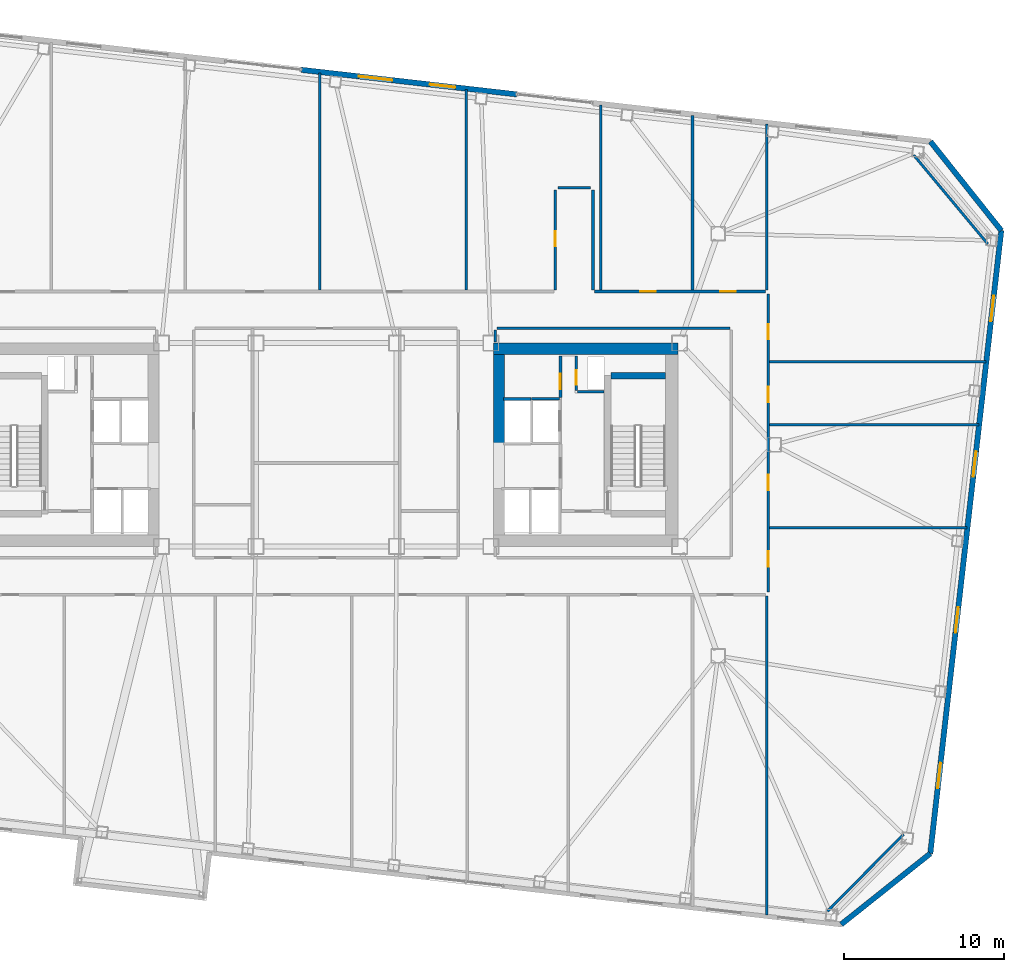
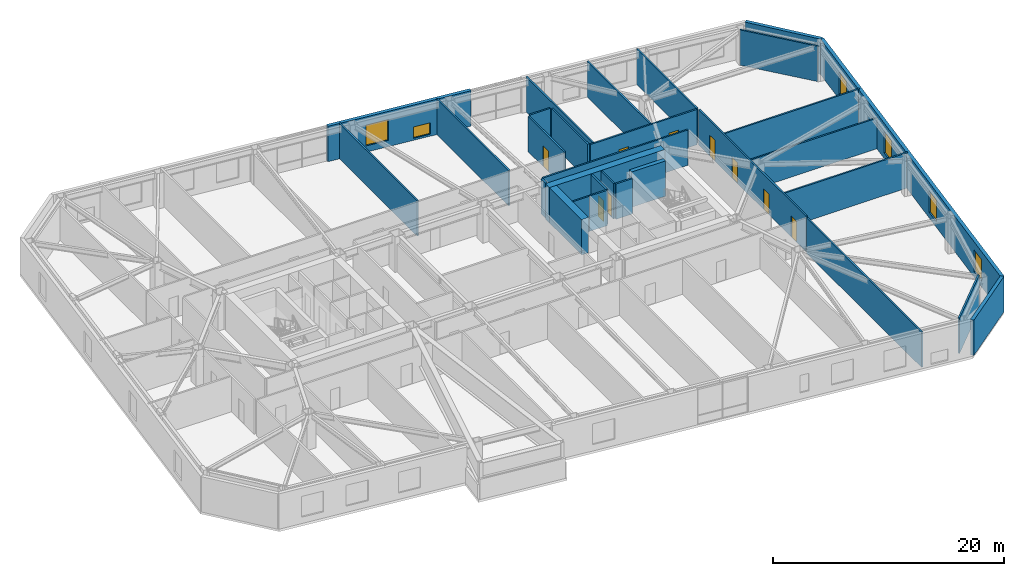
# One storey, part 13 of 19: 30 walls, 9 doors, 6 windows, 15 openings.
"""IFC4 building model written with IfcOpenShell, lengths in metres."""

import ifcopenshell
import ifcopenshell.guid

model = None  # the IFC model being written
_history = None  # IfcOwnerHistory: only IFC2X3 demands one
_inside = {}  # id of a spatial element -> (the spatial element, [elements in it])
_under = {}  # id of a project, library or spatial element -> (it, [spatial elements below it])
_declared = {}  # id of a project -> (the project, [libraries it declares])
_typed = {}  # id of a type object -> (the type object, [elements of that type])
_made_of = {}  # id of a material, layer set ... -> (it, [elements and type objects made of it])


def new_model(schema):
    """Start an empty IFC model of exactly this schema.

    Asked for "IFC4X3", IfcOpenShell would pick the latest addendum, in which some entities
    have other attributes; the version numbers below select the first issue.
    IFC2X3 requires an IfcOwnerHistory on every rooted entity: one is made here for all.
    """
    global model, _history
    if schema == "IFC4X3":
        model = ifcopenshell.file(schema_version=(4, 3, 0, 0))
    else:
        model = ifcopenshell.file(schema=schema)
    _inside.clear()
    _under.clear()
    _declared.clear()
    _typed.clear()
    _made_of.clear()
    _history = None
    if model.schema == "IFC2X3":
        org = make("IfcOrganization", Name="unknown")
        user = make(
            "IfcPersonAndOrganization",
            ThePerson=make("IfcPerson", FamilyName="unknown"),
            TheOrganization=org,
        )
        app = make(
            "IfcApplication",
            ApplicationDeveloper=org,
            Version="unknown",
            ApplicationFullName="unknown",
            ApplicationIdentifier="unknown",
        )
        _history = make(
            "IfcOwnerHistory",
            OwningUser=user,
            OwningApplication=app,
            ChangeAction="ADDED",
            CreationDate=0,
        )
    return model


def make(cls, **values):
    """One entity of the class cls with the attributes given. An attribute that is None is left unset."""
    return model.create_entity(
        cls, **{name: value for name, value in values.items() if value is not None}
    )


def rooted(cls, **values):
    """An entity with a GlobalId (a new one), such as an element, a storey or a relation."""
    return make(cls, GlobalId=ifcopenshell.guid.new(), OwnerHistory=_history, **values)


def si_unit(unit_type, name, prefix=None):
    """IfcSIUnit, for example si_unit("LENGTHUNIT", "METRE", prefix="MILLI")."""
    return make("IfcSIUnit", UnitType=unit_type, Prefix=prefix, Name=name)


def assignment(units):
    """IfcUnitAssignment: the units of a project."""
    return None if units is None else make("IfcUnitAssignment", Units=units)


def point(xyz):
    """IfcCartesianPoint."""
    return None if xyz is None else make("IfcCartesianPoint", Coordinates=xyz)


def direction(xyz):
    """IfcDirection."""
    return None if xyz is None else make("IfcDirection", DirectionRatios=xyz)


def frame(location, z_axis=None, x_axis=None):
    """IfcAxis2Placement3D, a coordinate frame: its origin and axes. An axis left out is left unset."""
    return make(
        "IfcAxis2Placement3D",
        Location=point(location),
        Axis=direction(z_axis),
        RefDirection=direction(x_axis),
    )


def frame_2d(location, x_axis=None):
    """IfcAxis2Placement2D, a coordinate frame in the plane: its origin and x axis."""
    return make(
        "IfcAxis2Placement2D", Location=point(location), RefDirection=direction(x_axis)
    )


def origin():
    """The frame at (0, 0, 0) with its axes left unset."""
    return frame((0.0, 0.0, 0.0))


def place(relative_to, where):
    """IfcLocalPlacement: puts the frame where relative to a parent placement (None: the world)."""
    return make(
        "IfcLocalPlacement", PlacementRelTo=relative_to, RelativePlacement=where
    )


def context(
    kind, dimensions, precision=None, world=None, true_north=None, identifier=None
):
    """IfcGeometricRepresentationContext, for example the 3D "Model" context."""
    return make(
        "IfcGeometricRepresentationContext",
        ContextIdentifier=identifier,
        ContextType=kind,
        CoordinateSpaceDimension=dimensions,
        Precision=precision,
        WorldCoordinateSystem=world,
        TrueNorth=true_north,
    )


def subcontext(parent, identifier, kind, view, scale=None):
    """IfcGeometricRepresentationSubContext, for example "Body" below "Model"."""
    return make(
        "IfcGeometricRepresentationSubContext",
        ContextIdentifier=identifier,
        ContextType=kind,
        ParentContext=parent,
        TargetScale=scale,
        TargetView=view,
    )


def project(units=None, contexts=None):
    """IfcProject with its units and contexts."""
    return rooted(
        "IfcProject",
        Name="project",
        RepresentationContexts=contexts,
        UnitsInContext=assignment(units),
    )


def spatial(cls, under=None, at=None, **own):
    """A site, building, storey or space (cls), placed at a placement, below another one or the project."""
    s = rooted(cls, ObjectPlacement=at, **own)
    if under is not None:
        _under.setdefault(under.id(), (under, []))[1].append(s)
    return s


def profile(cls, at=None, kind="AREA", **sizes):
    """A parametric profile (cls). Its sizes go by their IFC names, for example OverallWidth=200.0."""
    return make(cls, ProfileType=kind, Position=at, **sizes)


def rectangle(**sizes):
    """IfcRectangleProfileDef."""
    return profile("IfcRectangleProfileDef", **sizes)


def extrude(swept, where, along, depth):
    """IfcExtrudedAreaSolid: the profile swept, set in the frame where, extruded along a direction by depth."""
    return make(
        "IfcExtrudedAreaSolid",
        SweptArea=swept,
        Position=where,
        ExtrudedDirection=direction(along),
        Depth=depth,
    )


def shape(context_of_items, identifier, shape_type, items):
    """IfcShapeRepresentation: the items that make up one representation, for example the "Body"."""
    return make(
        "IfcShapeRepresentation",
        ContextOfItems=context_of_items,
        RepresentationIdentifier=identifier,
        RepresentationType=shape_type,
        Items=items,
    )


def material(Name=None, Category=None):
    """IfcMaterial."""
    return make("IfcMaterial", Name=Name, Category=Category)


def layer(
    of_material, thickness, ventilated=None, Name=None, Category=None, Priority=None
):
    """IfcMaterialLayer: one layer of a wall or slab, of a material (None: an air gap)."""
    return make(
        "IfcMaterialLayer",
        Material=of_material,
        LayerThickness=thickness,
        IsVentilated=ventilated,
        Name=Name,
        Category=Category,
        Priority=Priority,
    )


def layer_set(layers, Name=None):
    """IfcMaterialLayerSet."""
    return make("IfcMaterialLayerSet", MaterialLayers=layers, LayerSetName=Name)


def made_of(thing, what):
    """Note that an element or type object is made of a material, layer set ...; save() writes the relation."""
    if what is not None:
        _made_of.setdefault(what.id(), (what, []))[1].append(thing)
    return thing


def type_object(cls, material=None, **own):
    """A type object (cls), such as IfcWallType, which elements share."""
    return made_of(rooted(cls, **own), material)


def element(
    cls,
    number,
    at=None,
    inside=None,
    cuts=None,
    type_object=None,
    material=None,
    context=None,
    identifier="Body",
    shape_type=None,
    held_by="IfcProductDefinitionShape",
    body=None,
    shapes=None,
    **own,
):
    """One element of the class cls, such as IfcWall. Its Tag is "e" and its number.

    at: its placement. inside: the storey or other place that contains it. cuts: it is an
    opening in that element (IfcRelVoidsElement). A single representation is given by context,
    identifier, shape_type and body (its items); several are given by shapes. held_by: the class
    of the entity that holds the representations. save() writes the other relations.
    """
    e = rooted(cls, Tag="e%d" % number, ObjectPlacement=at, **own)
    if body is not None:
        shapes = [shape(context, identifier, shape_type, body)]
    if shapes is not None:
        e.Representation = make(held_by, Representations=shapes)
    if inside is not None:
        _inside.setdefault(inside.id(), (inside, []))[1].append(e)
    if cuts is not None:
        rooted(
            "IfcRelVoidsElement", RelatingBuildingElement=cuts, RelatedOpeningElement=e
        )
    if type_object is not None:
        _typed.setdefault(type_object.id(), (type_object, []))[1].append(e)
    return made_of(e, material)


def fill(opening, filler):
    """IfcRelFillsElement: the door or window that sits in an opening."""
    return rooted(
        "IfcRelFillsElement",
        RelatingOpeningElement=opening,
        RelatedBuildingElement=filler,
    )


def aggregate(whole, parts):
    """IfcRelAggregates: a whole, such as a stair, and the parts it consists of."""
    return rooted("IfcRelAggregates", RelatingObject=whole, RelatedObjects=parts)


def save(model, path):
    """Write the relations noted so far, then the file.

    IfcRelAggregates (storeys below a building ...), IfcRelContainedInSpatialStructure (elements
    in a storey), IfcRelDefinesByType, IfcRelAssociatesMaterial and IfcRelDeclares: one each for
    every whole, place, type object, material and project.
    """
    for whole, parts in _under.values():
        aggregate(whole, parts)
    for where, things in _inside.values():
        rooted(
            "IfcRelContainedInSpatialStructure",
            RelatedElements=things,
            RelatingStructure=where,
        )
    for kind, things in _typed.values():
        rooted("IfcRelDefinesByType", RelatedObjects=things, RelatingType=kind)
    for what, things in _made_of.values():
        rooted("IfcRelAssociatesMaterial", RelatedObjects=things, RelatingMaterial=what)
    for by, libraries in _declared.values():
        rooted("IfcRelDeclares", RelatingContext=by, RelatedDefinitions=libraries)
    model.write(path)


model = new_model("IFC4")

# Units and contexts
model_context = context("Model", 3, precision=1e-05, world=origin(), true_north=direction((0.0, 1.0)))
body_context = subcontext(model_context, "Body", "Model", "MODEL_VIEW")
ifc_project = project(units=[si_unit("LENGTHUNIT", "METRE"), si_unit("AREAUNIT", "SQUARE_METRE"), si_unit("VOLUMEUNIT", "CUBIC_METRE"), si_unit("PLANEANGLEUNIT", "RADIAN"), si_unit("MASSUNIT", "GRAM", prefix="KILO")], contexts=[model_context])

# Site, building, storey
site_placement = place(None, origin())
site = spatial("IfcSite", under=ifc_project, at=site_placement, CompositionType="ELEMENT")
building_placement = place(site_placement, origin())
building = spatial("IfcBuilding", under=site, at=building_placement, Name="Tavrogorsk Clinical Tower", CompositionType="ELEMENT")
storey_placement = place(building_placement, frame((0.0, 0.0, 97.39990234375)))
storey = spatial("IfcBuildingStorey", under=building, at=storey_placement, Name="L21", CompositionType="ELEMENT", Elevation=97.39990234375)

# Wall, opening, door
ifc_material_1 = material(Name="Concrete B60", Category="concrete")
ifc_layer_1 = layer(ifc_material_1, 0.199951171875)
ifc_layer_set_1 = layer_set([ifc_layer_1], Name="Concrete B60")
wall_type_1 = type_object("IfcWallType", Name="CoreFireWall_200", PredefinedType="SOLIDWALL", material=ifc_layer_set_1)
wall_1_placement = place(storey_placement, frame((14.639892578125, 2.9599609375, 0.0), z_axis=(0.0, 0.0, 1.0), x_axis=(0.0, 1.0, 0.0)))
wall_1 = element("IfcWall", 1, at=wall_1_placement, inside=storey, type_object=wall_type_1, Name="L21 Core East North Core Room East Wall", PredefinedType="SOLIDWALL", context=body_context, shape_type="SweptSolid", body=[
    extrude(rectangle(XDim=2.60009765625, YDim=0.199951171875, at=frame_2d((1.300048828125, 0.0))), origin(), (0.0, 0.0, 1.0), 3.739990234375),
])
opening_1_placement = place(wall_1_placement, frame((0.52001953125, 0.0, 0.0)))
opening_1 = element("IfcOpeningElement", 2, at=opening_1_placement, cuts=wall_1, Name="Opening ID-02", PredefinedType="OPENING", context=body_context, shape_type="SweptSolid", body=[
    extrude(rectangle(XDim=0.949951171875, YDim=2.199951171875, at=frame_2d((0.47509765625, 1.10009765625))), frame((0.0, 0.10986328125, 0.0), z_axis=(0.0, -1.0, 0.0), x_axis=(1.0, 0.0, 0.0)), (0.0, 0.0, 1.0), 0.219970703125),
])
ifc_material_2 = material(Name="Laminated timber leaf on aluminium frame", Category="wood")
door_type_1 = type_object("IfcDoorType", Name="InteriorDoor_ID02_950", OperationType="NOTDEFINED", PredefinedType="DOOR", material=ifc_material_2)
door_1_placement = place(opening_1_placement, origin())
door_1 = element("IfcDoor", 3, at=door_1_placement, inside=storey, type_object=door_type_1, Name="L21 Core East Core Telemetry Room Door", OperationType="SINGLE_SWING_LEFT", OverallHeight=2.199951171875, OverallWidth=0.949951171875, PredefinedType="DOOR", context=body_context, shape_type="SweptSolid", body=[
    extrude(rectangle(XDim=0.949951171875, YDim=2.199951171875, at=frame_2d((0.47509765625, 1.10009765625))), frame((0.0, 0.02490234375, 0.0), z_axis=(0.0, -1.0, 0.0), x_axis=(1.0, 0.0, 0.0)), (0.0, 0.0, 1.0), 0.050048828125),
])
fill(opening_1, door_1)

# Walls
ifc_material_3 = material(Name="Lightweight concrete blockwork B15", Category="masonry")
ifc_layer_2 = layer(ifc_material_3, 0.159912109375)
ifc_layer_set_2 = layer_set([ifc_layer_2], Name="Lightweight concrete blockwork B15")
wall_type_2 = type_object("IfcWallType", Name="PartitionWall_160", PredefinedType="PARTITIONING", material=ifc_layer_set_2)
wall_2_placement = place(storey_placement, frame((31.34130859375, -29.162109375, 0.0), z_axis=(0.0, 0.0, 1.0), x_axis=(0.702905898933, 0.711282853192, 0.0)))
element("IfcWall", 4, at=wall_2_placement, inside=storey, type_object=wall_type_2, Name="L21 Corner Exoskeleton Brace Furring Wall 1", PredefinedType="PARTITIONING", context=body_context, shape_type="SweptSolid", body=[
    extrude(rectangle(XDim=6.761474609375, YDim=0.159912109375, at=frame_2d((3.380859375, 0.0))), origin(), (0.0, 0.0, 1.0), 3.739990234375),
])
wall_3_placement = place(storey_placement, frame((41.36083984375, 12.555908203125, 0.0), z_axis=(0.0, 0.0, 1.0), x_axis=(-0.640217638562, 0.768193579298, 0.0)))
element("IfcWall", 5, at=wall_3_placement, inside=storey, type_object=wall_type_2, Name="L21 Corner Exoskeleton Brace Furring Wall 2", PredefinedType="PARTITIONING", context=body_context, shape_type="SweptSolid", body=[
    extrude(rectangle(XDim=7.224365234375, YDim=0.159912109375, at=frame_2d((3.6123046875, 0.0))), origin(), (0.0, 0.0, 1.0), 3.739990234375),
])

# Wall, opening, door
wall_4_placement = place(storey_placement, frame((14.320068359375, 9.6650390625, 0.0), z_axis=(0.0, 0.0, 1.0), x_axis=(0.0, 1.0, 0.0)))
wall_4 = element("IfcWall", 6, at=wall_4_placement, inside=storey, type_object=wall_type_2, Name="L21 Corridor Partition 03", PredefinedType="PARTITIONING", context=body_context, shape_type="SweptSolid", body=[
    extrude(rectangle(XDim=6.25, YDim=0.159912109375, at=frame_2d((3.125, 0.0))), origin(), (0.0, 0.0, 1.0), 3.739990234375),
])
opening_2_placement = place(wall_4_placement, frame((2.735107421875, 0.0, 0.0)))
opening_2 = element("IfcOpeningElement", 7, at=opening_2_placement, cuts=wall_4, Name="Opening ID-02", PredefinedType="OPENING", context=body_context, shape_type="SweptSolid", body=[
    extrude(rectangle(XDim=0.949951171875, YDim=2.199951171875, at=frame_2d((0.47509765625, 1.10009765625))), frame((0.0, 0.08984375, 0.0), z_axis=(0.0, -1.0, 0.0), x_axis=(1.0, 0.0, 0.0)), (0.0, 0.0, 1.0), 0.179931640625),
])
door_2_placement = place(opening_2_placement, origin())
door_2 = element("IfcDoor", 8, at=door_2_placement, inside=storey, type_object=door_type_1, Name="L21 North Endoscopy & Bronchoscopy Procedure Room 06 Door", OperationType="SINGLE_SWING_RIGHT", OverallHeight=2.199951171875, OverallWidth=0.949951171875, PredefinedType="DOOR", context=body_context, shape_type="SweptSolid", body=[
    extrude(rectangle(XDim=0.949951171875, YDim=2.199951171875, at=frame_2d((0.47509765625, 1.10009765625))), frame((0.0, 0.02490234375, 0.0), z_axis=(0.0, -1.0, 0.0), x_axis=(1.0, 0.0, 0.0)), (0.0, 0.0, 1.0), 0.050048828125),
])
fill(opening_2, door_2)

# Walls
wall_5_placement = place(storey_placement, frame((14.485107421875, 16.080078125, 0.0), z_axis=(0.0, 0.0, 1.0), x_axis=(1.0, 0.0, 0.0)))
element("IfcWall", 9, at=wall_5_placement, inside=storey, type_object=wall_type_2, Name="L21 Corridor Partition 04", PredefinedType="PARTITIONING", context=body_context, shape_type="SweptSolid", body=[
    extrude(rectangle(XDim=2.02978515625, YDim=0.159912109375, at=frame_2d((1.014892578125, 0.0))), origin(), (0.0, 0.0, 1.0), 3.739990234375),
])
wall_6_placement = place(storey_placement, frame((16.679931640625, 15.9150390625, 0.0), z_axis=(0.0, 0.0, 1.0), x_axis=(0.0, -1.0, 0.0)))
element("IfcWall", 10, at=wall_6_placement, inside=storey, type_object=wall_type_2, Name="L21 Corridor Partition 05", PredefinedType="PARTITIONING", context=body_context, shape_type="SweptSolid", body=[
    extrude(rectangle(XDim=6.25, YDim=0.159912109375, at=frame_2d((3.125, 0.0))), origin(), (0.0, 0.0, 1.0), 3.739990234375),
])

# Wall, openings, doors
wall_7_placement = place(storey_placement, frame((16.764892578125, 9.580078125, 0.0), z_axis=(0.0, 0.0, 1.0), x_axis=(1.0, 0.0, 0.0)))
wall_7 = element("IfcWall", 11, at=wall_7_placement, inside=storey, type_object=wall_type_2, Name="L21 Corridor Partition 06", PredefinedType="PARTITIONING", context=body_context, shape_type="SweptSolid", body=[
    extrude(rectangle(XDim=10.7001953125, YDim=0.159912109375, at=frame_2d((5.35009765625, 0.0))), origin(), (0.0, 0.0, 1.0), 3.739990234375),
])
opening_3_placement = place(wall_7_placement, frame((2.875, 0.0, 0.0)))
opening_3 = element("IfcOpeningElement", 12, at=opening_3_placement, cuts=wall_7, Name="Opening ID-02", PredefinedType="OPENING", context=body_context, shape_type="SweptSolid", body=[
    extrude(rectangle(XDim=0.949951171875, YDim=2.199951171875, at=frame_2d((0.47509765625, 1.10009765625))), frame((0.0, 0.08984375, 0.0), z_axis=(0.0, -1.0, 0.0), x_axis=(1.0, 0.0, 0.0)), (0.0, 0.0, 1.0), 0.179931640625),
])
opening_4_placement = place(wall_7_placement, frame((7.8759765625, 0.0, 0.0)))
opening_4 = element("IfcOpeningElement", 13, at=opening_4_placement, cuts=wall_7, Name="Opening ID-02", PredefinedType="OPENING", context=body_context, shape_type="SweptSolid", body=[
    extrude(rectangle(XDim=0.949951171875, YDim=2.199951171875, at=frame_2d((0.47509765625, 1.10009765625))), frame((0.0, 0.08984375, 0.0), z_axis=(0.0, -1.0, 0.0), x_axis=(1.0, 0.0, 0.0)), (0.0, 0.0, 1.0), 0.179931640625),
])
door_3_placement = place(opening_3_placement, origin())
door_3 = element("IfcDoor", 14, at=door_3_placement, inside=storey, type_object=door_type_1, Name="L21 North Surgical Case Conference Hall 07 Door", OperationType="SINGLE_SWING_LEFT", OverallHeight=2.199951171875, OverallWidth=0.949951171875, PredefinedType="DOOR", context=body_context, shape_type="SweptSolid", body=[
    extrude(rectangle(XDim=0.949951171875, YDim=2.199951171875, at=frame_2d((0.47509765625, 1.10009765625))), frame((0.0, 0.02490234375, 0.0), z_axis=(0.0, -1.0, 0.0), x_axis=(1.0, 0.0, 0.0)), (0.0, 0.0, 1.0), 0.050048828125),
])
fill(opening_3, door_3)
door_4_placement = place(opening_4_placement, origin())
door_4 = element("IfcDoor", 15, at=door_4_placement, inside=storey, type_object=door_type_1, Name="L21 North Gastroenterology Academic Office 08 Door", OperationType="SINGLE_SWING_RIGHT", OverallHeight=2.199951171875, OverallWidth=0.949951171875, PredefinedType="DOOR", context=body_context, shape_type="SweptSolid", body=[
    extrude(rectangle(XDim=0.949951171875, YDim=2.199951171875, at=frame_2d((0.47509765625, 1.10009765625))), frame((0.0, 0.02490234375, 0.0), z_axis=(0.0, -1.0, 0.0), x_axis=(1.0, 0.0, 0.0)), (0.0, 0.0, 1.0), 0.050048828125),
])
fill(opening_4, door_4)

wall_8_placement = place(storey_placement, frame((27.6298828125, 9.4150390625, 0.0), z_axis=(0.0, 0.0, 1.0), x_axis=(0.0, -1.0, 0.0)))
wall_8 = element("IfcWall", 16, at=wall_8_placement, inside=storey, type_object=wall_type_2, Name="L21 Corridor Partition 07", PredefinedType="PARTITIONING", context=body_context, shape_type="SweptSolid", body=[
    extrude(rectangle(XDim=18.630126953125, YDim=0.159912109375, at=frame_2d((9.31494140625, 0.0))), origin(), (0.0, 0.0, 1.0), 3.739990234375),
])
opening_5_placement = place(wall_8_placement, frame((16.080810546875, 0.0, 0.0)))
opening_5 = element("IfcOpeningElement", 17, at=opening_5_placement, cuts=wall_8, Name="Opening ID-02", PredefinedType="OPENING", context=body_context, shape_type="SweptSolid", body=[
    extrude(rectangle(XDim=0.949951171875, YDim=2.199951171875, at=frame_2d((0.47509765625, 1.10009765625))), frame((0.0, 0.08984375, 0.0), z_axis=(0.0, -1.0, 0.0), x_axis=(1.0, 0.0, 0.0)), (0.0, 0.0, 1.0), 0.179931640625),
])
opening_6_placement = place(wall_8_placement, frame((11.300048828125, 0.0, 0.0)))
opening_6 = element("IfcOpeningElement", 18, at=opening_6_placement, cuts=wall_8, Name="Opening ID-02", PredefinedType="OPENING", context=body_context, shape_type="SweptSolid", body=[
    extrude(rectangle(XDim=0.949951171875, YDim=2.199951171875, at=frame_2d((0.47509765625, 1.10009765625))), frame((0.0, 0.08984375, 0.0), z_axis=(0.0, -1.0, 0.0), x_axis=(1.0, 0.0, 0.0)), (0.0, 0.0, 1.0), 0.179931640625),
])
opening_7_placement = place(wall_8_placement, frame((5.800048828125, 0.0, 0.0)))
opening_7 = element("IfcOpeningElement", 19, at=opening_7_placement, cuts=wall_8, Name="Opening ID-02", PredefinedType="OPENING", context=body_context, shape_type="SweptSolid", body=[
    extrude(rectangle(XDim=0.949951171875, YDim=2.199951171875, at=frame_2d((0.47509765625, 1.10009765625))), frame((0.0, 0.08984375, 0.0), z_axis=(0.0, -1.0, 0.0), x_axis=(1.0, 0.0, 0.0)), (0.0, 0.0, 1.0), 0.179931640625),
])
opening_8_placement = place(wall_8_placement, frame((1.869140625, 0.0, 0.0)))
opening_8 = element("IfcOpeningElement", 20, at=opening_8_placement, cuts=wall_8, Name="Opening ID-02", PredefinedType="OPENING", context=body_context, shape_type="SweptSolid", body=[
    extrude(rectangle(XDim=0.949951171875, YDim=2.199951171875, at=frame_2d((0.47509765625, 1.10009765625))), frame((0.0, 0.08984375, 0.0), z_axis=(0.0, -1.0, 0.0), x_axis=(1.0, 0.0, 0.0)), (0.0, 0.0, 1.0), 0.179931640625),
])
door_5_placement = place(opening_5_placement, origin())
door_5 = element("IfcDoor", 21, at=door_5_placement, inside=storey, type_object=door_type_1, Name="L21 E Senior Clinician Suite 1 Door", OperationType="SINGLE_SWING_LEFT", OverallHeight=2.199951171875, OverallWidth=0.949951171875, PredefinedType="DOOR", context=body_context, shape_type="SweptSolid", body=[
    extrude(rectangle(XDim=0.949951171875, YDim=2.199951171875, at=frame_2d((0.47509765625, 1.10009765625))), frame((0.0, 0.02490234375, 0.0), z_axis=(0.0, -1.0, 0.0), x_axis=(1.0, 0.0, 0.0)), (0.0, 0.0, 1.0), 0.050048828125),
])
fill(opening_5, door_5)
door_6_placement = place(opening_6_placement, origin())
door_6 = element("IfcDoor", 22, at=door_6_placement, inside=storey, type_object=door_type_1, Name="L21 E Multidisciplinary Seminar Suite 2 Door", OperationType="SINGLE_SWING_RIGHT", OverallHeight=2.199951171875, OverallWidth=0.949951171875, PredefinedType="DOOR", context=body_context, shape_type="SweptSolid", body=[
    extrude(rectangle(XDim=0.949951171875, YDim=2.199951171875, at=frame_2d((0.47509765625, 1.10009765625))), frame((0.0, 0.02490234375, 0.0), z_axis=(0.0, -1.0, 0.0), x_axis=(1.0, 0.0, 0.0)), (0.0, 0.0, 1.0), 0.050048828125),
])
fill(opening_6, door_6)
door_7_placement = place(opening_7_placement, origin())
door_7 = element("IfcDoor", 23, at=door_7_placement, inside=storey, type_object=door_type_1, Name="L21 E Specialist Consultation Room 3 Door", OperationType="SINGLE_SWING_LEFT", OverallHeight=2.199951171875, OverallWidth=0.949951171875, PredefinedType="DOOR", context=body_context, shape_type="SweptSolid", body=[
    extrude(rectangle(XDim=0.949951171875, YDim=2.199951171875, at=frame_2d((0.47509765625, 1.10009765625))), frame((0.0, 0.02490234375, 0.0), z_axis=(0.0, -1.0, 0.0), x_axis=(1.0, 0.0, 0.0)), (0.0, 0.0, 1.0), 0.050048828125),
])
fill(opening_7, door_7)
door_8_placement = place(opening_8_placement, origin())
door_8 = element("IfcDoor", 24, at=door_8_placement, inside=storey, type_object=door_type_1, Name="L21 E Clinical Fellows' Study 4 Door", OperationType="SINGLE_SWING_RIGHT", OverallHeight=2.199951171875, OverallWidth=0.949951171875, PredefinedType="DOOR", context=body_context, shape_type="SweptSolid", body=[
    extrude(rectangle(XDim=0.949951171875, YDim=2.199951171875, at=frame_2d((0.47509765625, 1.10009765625))), frame((0.0, 0.02490234375, 0.0), z_axis=(0.0, -1.0, 0.0), x_axis=(1.0, 0.0, 0.0)), (0.0, 0.0, 1.0), 0.050048828125),
])
fill(opening_8, door_8)

# Walls
wall_9_placement = place(storey_placement, frame((25.235107421875, 7.27001953125, 0.0), z_axis=(0.0, 0.0, 1.0), x_axis=(-1.0, 0.0, 0.0)))
element("IfcWall", 25, at=wall_9_placement, inside=storey, type_object=wall_type_2, Name="L21 Corridor Partition 09", PredefinedType="PARTITIONING", context=body_context, shape_type="SweptSolid", body=[
    extrude(rectangle(XDim=14.570068359375, YDim=0.159912109375, at=frame_2d((7.28515625, 0.0))), origin(), (0.0, 0.0, 1.0), 3.739990234375),
])
wall_10_placement = place(storey_placement, frame((10.580078125, 7.18505859375, 0.0), z_axis=(0.0, 0.0, 1.0), x_axis=(0.0, -1.0, 0.0)))
element("IfcWall", 26, at=wall_10_placement, inside=storey, type_object=wall_type_2, Name="L21 Corridor Partition 10", PredefinedType="PARTITIONING", context=body_context, shape_type="SweptSolid", body=[
    extrude(rectangle(XDim=0.76513671875, YDim=0.159912109375, at=frame_2d((0.382568359375, 0.0))), origin(), (0.0, 0.0, 1.0), 3.739990234375),
])
wall_11_placement = place(storey_placement, frame((27.550048828125, 9.6650390625, 0.0), z_axis=(0.0, 0.0, 1.0), x_axis=(0.0, 1.0, 0.0)))
element("IfcWall", 27, at=wall_11_placement, inside=storey, type_object=wall_type_2, Name="L21 NE Wing Closure Partition", PredefinedType="PARTITIONING", context=body_context, shape_type="SweptSolid", body=[
    extrude(rectangle(XDim=10.388427734375, YDim=0.159912109375, at=frame_2d((5.1943359375, 0.0))), origin(), (0.0, 0.0, 1.0), 3.739990234375),
])
wall_12_placement = place(storey_placement, frame((27.550048828125, -29.384521484375, 0.0), z_axis=(0.0, 0.0, 1.0), x_axis=(0.0, 1.0, 0.0)))
element("IfcWall", 28, at=wall_12_placement, inside=storey, type_object=wall_type_2, Name="L21 SE Wing Closure Partition", PredefinedType="PARTITIONING", context=body_context, shape_type="SweptSolid", body=[
    extrude(rectangle(XDim=19.91943359375, YDim=0.159912109375, at=frame_2d((9.959716796875, 0.0))), origin(), (0.0, 0.0, 1.0), 3.739990234375),
])
wall_13_placement = place(storey_placement, frame((-0.39990234375, 9.6650390625, 0.0), z_axis=(0.0, 0.0, 1.0), x_axis=(0.0, 1.0, 0.0)))
element("IfcWall", 29, at=wall_13_placement, inside=storey, type_object=wall_type_2, Name="L21 North Room Partition 4", PredefinedType="PARTITIONING", context=body_context, shape_type="SweptSolid", body=[
    extrude(rectangle(XDim=13.57275390625, YDim=0.159912109375, at=frame_2d((6.786376953125, 0.0))), origin(), (0.0, 0.0, 1.0), 3.739990234375),
])
wall_14_placement = place(storey_placement, frame((8.75, 9.6650390625, 0.0), z_axis=(0.0, 0.0, 1.0), x_axis=(0.0, 1.0, 0.0)))
element("IfcWall", 30, at=wall_14_placement, inside=storey, type_object=wall_type_2, Name="L21 North Room Partition 5", PredefinedType="PARTITIONING", context=body_context, shape_type="SweptSolid", body=[
    extrude(rectangle(XDim=12.5302734375, YDim=0.159912109375, at=frame_2d((6.26513671875, 0.0))), origin(), (0.0, 0.0, 1.0), 3.739990234375),
])
wall_15_placement = place(storey_placement, frame((17.159912109375, 9.6650390625, 0.0), z_axis=(0.0, 0.0, 1.0), x_axis=(0.0, 1.0, 0.0)))
element("IfcWall", 31, at=wall_15_placement, inside=storey, type_object=wall_type_2, Name="L21 North Room Partition 6", PredefinedType="PARTITIONING", context=body_context, shape_type="SweptSolid", body=[
    extrude(rectangle(XDim=11.572265625, YDim=0.159912109375, at=frame_2d((5.7861328125, 0.0))), origin(), (0.0, 0.0, 1.0), 3.739990234375),
])
wall_16_placement = place(storey_placement, frame((22.89990234375, 9.6650390625, 0.0), z_axis=(0.0, 0.0, 1.0), x_axis=(0.0, 1.0, 0.0)))
element("IfcWall", 32, at=wall_16_placement, inside=storey, type_object=wall_type_2, Name="L21 North Room Partition 7", PredefinedType="PARTITIONING", context=body_context, shape_type="SweptSolid", body=[
    extrude(rectangle(XDim=10.918212890625, YDim=0.159912109375, at=frame_2d((5.458984375, 0.0))), origin(), (0.0, 0.0, 1.0), 3.739990234375),
])
wall_17_placement = place(storey_placement, frame((27.715087890625, -5.199951171875, 0.0), z_axis=(0.0, 0.0, 1.0), x_axis=(1.0, 0.0, 0.0)))
element("IfcWall", 33, at=wall_17_placement, inside=storey, type_object=wall_type_2, Name="L21 E Wing Divider 1", PredefinedType="PARTITIONING", context=body_context, shape_type="SweptSolid", body=[
    extrude(rectangle(XDim=12.35205078125, YDim=0.159912109375, at=frame_2d((6.176025390625, 0.0))), origin(), (0.0, 0.0, 1.0), 3.739990234375),
])
wall_18_placement = place(storey_placement, frame((27.715087890625, 1.25, 0.0), z_axis=(0.0, 0.0, 1.0), x_axis=(1.0, 0.0, 0.0)))
element("IfcWall", 34, at=wall_18_placement, inside=storey, type_object=wall_type_2, Name="L21 E Wing Divider 2", PredefinedType="PARTITIONING", context=body_context, shape_type="SweptSolid", body=[
    extrude(rectangle(XDim=13.0869140625, YDim=0.159912109375, at=frame_2d((6.54345703125, 0.0))), origin(), (0.0, 0.0, 1.0), 3.235107421875),
])
wall_19_placement = place(storey_placement, frame((27.715087890625, 5.199951171875, 0.0), z_axis=(0.0, 0.0, 1.0), x_axis=(1.0, 0.0, 0.0)))
element("IfcWall", 35, at=wall_19_placement, inside=storey, type_object=wall_type_2, Name="L21 E Wing Divider 3", PredefinedType="PARTITIONING", context=body_context, shape_type="SweptSolid", body=[
    extrude(rectangle(XDim=13.537109375, YDim=0.159912109375, at=frame_2d((6.7685546875, 0.0))), origin(), (0.0, 0.0, 1.0), 3.739990234375),
])

# Wall, openings, windows
ifc_material_4 = material(Name="Precast concrete B45 with limestone cladding", Category="masonry")
ifc_layer_3 = layer(ifc_material_4, 0.340087890625)
ifc_layer_set_3 = layer_set([ifc_layer_3], Name="Precast concrete B45 with limestone cladding")
wall_type_3 = type_object("IfcWallType", Name="PrecastLimestoneWall_340", PredefinedType="STANDARD", material=ifc_layer_set_3)
wall_20_placement = place(storey_placement, frame((11.921875, 21.904541015625, 0.0), z_axis=(0.0, 0.0, 1.0), x_axis=(-0.993571685551, 0.11320470693, 0.0)))
wall_20 = element("IfcWall", 36, at=wall_20_placement, inside=storey, type_object=wall_type_3, Name="L21 N Limestone Facade Wall 2", PredefinedType="STANDARD", context=body_context, shape_type="SweptSolid", body=[
    extrude(rectangle(XDim=13.554443359375, YDim=0.340087890625, at=frame_2d((6.77734375, 0.0))), origin(), (0.0, 0.0, 1.0), 3.739990234375),
])
opening_9_placement = place(wall_20_placement, frame((7.837890625, 0.0, 0.669921875)))
opening_9 = element("IfcOpeningElement", 37, at=opening_9_placement, cuts=wall_20, Name="Opening WN-03", PredefinedType="OPENING", context=body_context, shape_type="SweptSolid", body=[
    extrude(rectangle(XDim=2.10009765625, YDim=2.199951171875, at=frame_2d((1.050048828125, 1.10009765625))), frame((0.0, 0.179931640625, 0.0), z_axis=(0.0, -1.0, 0.0), x_axis=(1.0, 0.0, 0.0)), (0.0, 0.0, 1.0), 0.360107421875),
])
opening_10_placement = place(wall_20_placement, frame((3.866455078125, 0.0, 0.219970703125)))
opening_10 = element("IfcOpeningElement", 38, at=opening_10_placement, cuts=wall_20, Name="Opening WN-09", PredefinedType="OPENING", context=body_context, shape_type="SweptSolid", body=[
    extrude(rectangle(XDim=1.60009765625, YDim=1.199951171875, at=frame_2d((0.800048828125, 0.60009765625))), frame((0.0, 0.179931640625, 0.0), z_axis=(0.0, -1.0, 0.0), x_axis=(1.0, 0.0, 0.0)), (0.0, 0.0, 1.0), 0.360107421875),
])
ifc_material_5 = material(Name="Thermally broken aluminium frame and triple IGU", Category="aluminium")
window_type_1 = type_object("IfcWindowType", Name="LowHeadTransWin_1600x1200", PartitioningType="DOUBLE_PANEL_VERTICAL", PredefinedType="WINDOW", material=ifc_material_5)
window_1_placement = place(opening_10_placement, origin())
window_1 = element("IfcWindow", 39, at=window_1_placement, inside=storey, type_object=window_type_1, Name="L21 N Chicago Window 06", OverallHeight=1.199951171875, OverallWidth=1.60009765625, PartitioningType="SINGLE_PANEL", PredefinedType="WINDOW", context=body_context, shape_type="SweptSolid", body=[
    extrude(rectangle(XDim=1.60009765625, YDim=1.199951171875, at=frame_2d((0.800048828125, 0.60009765625))), frame((0.0, 0.030029296875, 0.0), z_axis=(0.0, -1.0, 0.0), x_axis=(1.0, 0.0, 0.0)), (0.0, 0.0, 1.0), 0.06005859375),
])
fill(opening_10, window_1)
ifc_material_6 = material(Name="Thermally broken aluminium frame and triple IGU", Category="aluminium")
window_type_2 = type_object("IfcWindowType", Name="PatientTwinWin_2100x2200", PartitioningType="DOUBLE_PANEL_VERTICAL", PredefinedType="WINDOW", material=ifc_material_6)
window_2_placement = place(opening_9_placement, origin())
window_2 = element("IfcWindow", 40, at=window_2_placement, inside=storey, type_object=window_type_2, Name="L21 N Chicago Window 05", OverallHeight=2.199951171875, OverallWidth=2.10009765625, PartitioningType="SINGLE_PANEL", PredefinedType="WINDOW", context=body_context, shape_type="SweptSolid", body=[
    extrude(rectangle(XDim=2.10009765625, YDim=2.199951171875, at=frame_2d((1.050048828125, 1.10009765625))), frame((0.0, 0.030029296875, 0.0), z_axis=(0.0, -1.0, 0.0), x_axis=(1.0, 0.0, 0.0)), (0.0, 0.0, 1.0), 0.06005859375),
])
fill(opening_9, window_2)

wall_21_placement = place(storey_placement, frame((37.76806640625, -25.556396484375, 0.0), z_axis=(0.0, 0.0, 1.0), x_axis=(0.113201605824, 0.993572038877, 0.0)))
wall_21 = element("IfcWall", 41, at=wall_21_placement, inside=storey, type_object=wall_type_3, Name="L21 E Pleated Limestone Wing Wall", PredefinedType="STANDARD", context=body_context, shape_type="SweptSolid", body=[
    extrude(rectangle(XDim=39.199951171875, YDim=0.340087890625, at=frame_2d((19.60009765625, 0.0))), origin(), (0.0, 0.0, 1.0), 3.739990234375),
])
opening_11_placement = place(wall_21_placement, frame((4.10009765625, 0.0, 0.580078125)))
opening_11 = element("IfcOpeningElement", 42, at=opening_11_placement, cuts=wall_21, Name="Opening WN-07", PredefinedType="OPENING", context=body_context, shape_type="SweptSolid", body=[
    extrude(rectangle(XDim=1.60009765625, YDim=2.300048828125, at=frame_2d((0.800048828125, 1.14990234375))), frame((0.0, 0.179931640625, 0.0), z_axis=(0.0, -1.0, 0.0), x_axis=(1.0, 0.0, 0.0)), (0.0, 0.0, 1.0), 0.360107421875),
])
opening_12_placement = place(wall_21_placement, frame((13.89990234375, 0.0, 0.580078125)))
opening_12 = element("IfcOpeningElement", 43, at=opening_12_placement, cuts=wall_21, Name="Opening WN-07", PredefinedType="OPENING", context=body_context, shape_type="SweptSolid", body=[
    extrude(rectangle(XDim=1.60009765625, YDim=2.300048828125, at=frame_2d((0.800048828125, 1.14990234375))), frame((0.0, 0.179931640625, 0.0), z_axis=(0.0, -1.0, 0.0), x_axis=(1.0, 0.0, 0.0)), (0.0, 0.0, 1.0), 0.360107421875),
])
opening_13_placement = place(wall_21_placement, frame((23.699951171875, 0.0, 0.580078125)))
opening_13 = element("IfcOpeningElement", 44, at=opening_13_placement, cuts=wall_21, Name="Opening WN-07", PredefinedType="OPENING", context=body_context, shape_type="SweptSolid", body=[
    extrude(rectangle(XDim=1.60009765625, YDim=2.300048828125, at=frame_2d((0.800048828125, 1.14990234375))), frame((0.0, 0.179931640625, 0.0), z_axis=(0.0, -1.0, 0.0), x_axis=(1.0, 0.0, 0.0)), (0.0, 0.0, 1.0), 0.360107421875),
])
opening_14_placement = place(wall_21_placement, frame((33.5, 0.0, 0.580078125)))
opening_14 = element("IfcOpeningElement", 45, at=opening_14_placement, cuts=wall_21, Name="Opening WN-07", PredefinedType="OPENING", context=body_context, shape_type="SweptSolid", body=[
    extrude(rectangle(XDim=1.60009765625, YDim=2.300048828125, at=frame_2d((0.800048828125, 1.14990234375))), frame((0.0, 0.179931640625, 0.0), z_axis=(0.0, -1.0, 0.0), x_axis=(1.0, 0.0, 0.0)), (0.0, 0.0, 1.0), 0.360107421875),
])
ifc_material_7 = material(Name="Thermally broken aluminium frame and triple IGU", Category="aluminium")
window_type_3 = type_object("IfcWindowType", Name="PleatSlotWin_1600x2300", PartitioningType="SINGLE_PANEL", PredefinedType="WINDOW", material=ifc_material_7)
window_3_placement = place(opening_11_placement, origin())
window_3 = element("IfcWindow", 46, at=window_3_placement, inside=storey, type_object=window_type_3, Name="L21 E Pleat Slot Window 1", OverallHeight=2.300048828125, OverallWidth=1.60009765625, PartitioningType="SINGLE_PANEL", PredefinedType="WINDOW", context=body_context, shape_type="SweptSolid", body=[
    extrude(rectangle(XDim=1.60009765625, YDim=2.300048828125, at=frame_2d((0.800048828125, 1.14990234375))), frame((0.0, 0.030029296875, 0.0), z_axis=(0.0, -1.0, 0.0), x_axis=(1.0, 0.0, 0.0)), (0.0, 0.0, 1.0), 0.06005859375),
])
fill(opening_11, window_3)
window_4_placement = place(opening_12_placement, origin())
window_4 = element("IfcWindow", 47, at=window_4_placement, inside=storey, type_object=window_type_3, Name="L21 E Pleat Slot Window 2", OverallHeight=2.300048828125, OverallWidth=1.60009765625, PartitioningType="SINGLE_PANEL", PredefinedType="WINDOW", context=body_context, shape_type="SweptSolid", body=[
    extrude(rectangle(XDim=1.60009765625, YDim=2.300048828125, at=frame_2d((0.800048828125, 1.14990234375))), frame((0.0, 0.030029296875, 0.0), z_axis=(0.0, -1.0, 0.0), x_axis=(1.0, 0.0, 0.0)), (0.0, 0.0, 1.0), 0.06005859375),
])
fill(opening_12, window_4)
window_5_placement = place(opening_13_placement, origin())
window_5 = element("IfcWindow", 48, at=window_5_placement, inside=storey, type_object=window_type_3, Name="L21 E Pleat Slot Window 3", OverallHeight=2.300048828125, OverallWidth=1.60009765625, PartitioningType="SINGLE_PANEL", PredefinedType="WINDOW", context=body_context, shape_type="SweptSolid", body=[
    extrude(rectangle(XDim=1.60009765625, YDim=2.300048828125, at=frame_2d((0.800048828125, 1.14990234375))), frame((0.0, 0.030029296875, 0.0), z_axis=(0.0, -1.0, 0.0), x_axis=(1.0, 0.0, 0.0)), (0.0, 0.0, 1.0), 0.06005859375),
])
fill(opening_13, window_5)
window_6_placement = place(opening_14_placement, origin())
window_6 = element("IfcWindow", 49, at=window_6_placement, inside=storey, type_object=window_type_3, Name="L21 E Pleat Slot Window 4", OverallHeight=2.300048828125, OverallWidth=1.60009765625, PartitioningType="SINGLE_PANEL", PredefinedType="WINDOW", context=body_context, shape_type="SweptSolid", body=[
    extrude(rectangle(XDim=1.60009765625, YDim=2.300048828125, at=frame_2d((0.800048828125, 1.14990234375))), frame((0.0, 0.030029296875, 0.0), z_axis=(0.0, -1.0, 0.0), x_axis=(1.0, 0.0, 0.0)), (0.0, 0.0, 1.0), 0.06005859375),
])
fill(opening_14, window_6)

# Walls
wall_22_placement = place(storey_placement, frame((32.200927734375, -29.984619140625, 0.0), z_axis=(0.0, 0.0, 1.0), x_axis=(0.78261359446, 0.622507800567, 0.0)))
element("IfcWall", 50, at=wall_22_placement, inside=storey, type_object=wall_type_3, Name="L21 Chamfered Corner Wall 1", PredefinedType="STANDARD", context=body_context, shape_type="SweptSolid", body=[
    extrude(rectangle(XDim=7.113525390625, YDim=0.340087890625, at=frame_2d((3.556640625, 0.0))), origin(), (0.0, 0.0, 1.0), 3.739990234375),
])
wall_23_placement = place(storey_placement, frame((42.20556640625, 13.3916015625, 0.0), z_axis=(0.0, 0.0, 1.0), x_axis=(-0.622524521309, 0.782600294128, 0.0)))
element("IfcWall", 51, at=wall_23_placement, inside=storey, type_object=wall_type_3, Name="L21 Chamfered Corner Wall 2", PredefinedType="STANDARD", context=body_context, shape_type="SweptSolid", body=[
    extrude(rectangle(XDim=7.11328125, YDim=0.340087890625, at=frame_2d((3.556640625, 0.0))), origin(), (0.0, 0.0, 1.0), 3.739990234375),
])
ifc_material_8 = material(Name="Lightweight concrete blockwork B25", Category="masonry")
ifc_layer_4 = layer(ifc_material_8, 0.159912109375)
ifc_layer_set_4 = layer_set([ifc_layer_4], Name="Lightweight concrete blockwork B25")
wall_type_4 = type_object("IfcWallType", Name="ShaftWall_160", PredefinedType="PARTITIONING", material=ifc_layer_set_4)
wall_24_placement = place(storey_placement, frame((12.840087890625, 2.8798828125, 0.0), z_axis=(0.0, 0.0, 1.0), x_axis=(1.0, 0.0, 0.0)))
element("IfcWall", 52, at=wall_24_placement, inside=storey, type_object=wall_type_4, Name="L21 FFL-E Shaft North Wall", PredefinedType="PARTITIONING", context=body_context, shape_type="SweptSolid", body=[
    extrude(rectangle(XDim=1.760009765625, YDim=0.159912109375, at=frame_2d((0.8798828125, 0.0))), origin(), (0.0, 0.0, 1.0), 3.739990234375),
])
wall_25_placement = place(storey_placement, frame((11.10009765625, 2.860107421875, 0.0), z_axis=(0.0, 0.0, 1.0), x_axis=(1.0, 0.0, 0.0)))
element("IfcWall", 53, at=wall_25_placement, inside=storey, type_object=wall_type_4, Name="L21 LP-H2 High-Zone Lift Rear Wall", PredefinedType="PARTITIONING", context=body_context, shape_type="SweptSolid", body=[
    extrude(rectangle(XDim=1.719970703125, YDim=0.159912109375, at=frame_2d((0.85986328125, 0.0))), origin(), (0.0, 0.0, 1.0), 3.739990234375),
])

# Wall, opening, door
wall_26_placement = place(storey_placement, frame((15.639892578125, 3.405029296875, 0.0), z_axis=(0.0, 0.0, 1.0), x_axis=(0.0, 1.0, 0.0)))
wall_26 = element("IfcWall", 54, at=wall_26_placement, inside=storey, type_object=wall_type_4, Name="L21 Core East Riser West Wall", PredefinedType="PARTITIONING", context=body_context, shape_type="SweptSolid", body=[
    extrude(rectangle(XDim=2.155029296875, YDim=0.159912109375, at=frame_2d((1.07763671875, 0.0))), origin(), (0.0, 0.0, 1.0), 3.739990234375),
])
opening_15_placement = place(wall_26_placement, frame((0.35009765625, 0.0, 0.0)))
opening_15 = element("IfcOpeningElement", 55, at=opening_15_placement, cuts=wall_26, Name="Opening FD-02", PredefinedType="OPENING", context=body_context, shape_type="SweptSolid", body=[
    extrude(rectangle(XDim=0.89990234375, YDim=2.199951171875, at=frame_2d((0.449951171875, 1.10009765625))), frame((0.0, 0.08984375, 0.0), z_axis=(0.0, -1.0, 0.0), x_axis=(1.0, 0.0, 0.0)), (0.0, 0.0, 1.0), 0.179931640625),
])
ifc_material_9 = material(Name="Galvanised steel fire-rated door assembly", Category="steel")
door_type_2 = type_object("IfcDoorType", Name="FireDoor_FD02_900", OperationType="NOTDEFINED", PredefinedType="DOOR", material=ifc_material_9)
door_9_placement = place(opening_15_placement, origin())
door_9 = element("IfcDoor", 56, at=door_9_placement, inside=storey, type_object=door_type_2, Name="L21 Core East Electrical Riser Access Door", OperationType="SINGLE_SWING_LEFT", OverallHeight=2.199951171875, OverallWidth=0.89990234375, PredefinedType="DOOR", context=body_context, shape_type="SweptSolid", body=[
    extrude(rectangle(XDim=0.89990234375, YDim=2.199951171875, at=frame_2d((0.449951171875, 1.10009765625))), frame((0.0, 0.02490234375, 0.0), z_axis=(0.0, -1.0, 0.0), x_axis=(1.0, 0.0, 0.0)), (0.0, 0.0, 1.0), 0.050048828125),
])
fill(opening_15, door_9)

# Walls
wall_27_placement = place(storey_placement, frame((15.72509765625, 3.320068359375, 0.0), z_axis=(0.0, 0.0, 1.0), x_axis=(1.0, 0.0, 0.0)))
element("IfcWall", 57, at=wall_27_placement, inside=storey, type_object=wall_type_4, Name="L21 Core East Riser South Wall", PredefinedType="PARTITIONING", context=body_context, shape_type="SweptSolid", body=[
    extrude(rectangle(XDim=1.65478515625, YDim=0.159912109375, at=frame_2d((0.827392578125, 0.0))), origin(), (0.0, 0.0, 1.0), 3.739990234375),
])
ifc_material_10 = material(Name="Concrete B80", Category="concrete")
ifc_layer_5 = layer(ifc_material_10, 0.39990234375)
ifc_layer_set_5 = layer_set([ifc_layer_5], Name="Concrete B80")
wall_type_5 = type_object("IfcWallType", Name="ShearWall_400", PredefinedType="SHEAR", material=ifc_layer_set_5)
wall_28_placement = place(storey_placement, frame((17.800048828125, 4.324951171875, 0.0), z_axis=(0.0, 0.0, 1.0), x_axis=(1.0, 0.0, 0.0)))
element("IfcWall", 58, at=wall_28_placement, inside=storey, type_object=wall_type_5, Name="L21 Core East Stair Shaft North Shear Wall", PredefinedType="SHEAR", context=body_context, shape_type="SweptSolid", body=[
    extrude(rectangle(XDim=3.39990234375, YDim=0.39990234375, at=frame_2d((1.699951171875, 0.0))), origin(), (0.0, 0.0, 1.0), 3.739990234375),
])
ifc_material_11 = material(Name="Concrete B80", Category="concrete")
ifc_layer_6 = layer(ifc_material_11, 0.699951171875)
ifc_layer_set_6 = layer_set([ifc_layer_6], Name="Concrete B80")
wall_type_6 = type_object("IfcWallType", Name="ShearWall_700", PredefinedType="SHEAR", material=ifc_layer_set_6)
wall_29_placement = place(storey_placement, frame((10.449951171875, 6.0, 0.0), z_axis=(0.0, 0.0, 1.0), x_axis=(1.0, 0.0, 0.0)))
element("IfcWall", 59, at=wall_29_placement, inside=storey, type_object=wall_type_6, Name="L21 Core East North Shear Wall", PredefinedType="SHEAR", context=body_context, shape_type="SweptSolid", body=[
    extrude(rectangle(XDim=11.550048828125, YDim=0.699951171875, at=frame_2d((5.77490234375, 0.0))), origin(), (0.0, 0.0, 1.0), 3.739990234375),
])
wall_30_placement = place(storey_placement, frame((10.800048828125, 0.050048828125, 0.0), z_axis=(0.0, 0.0, 1.0), x_axis=(0.0, 1.0, 0.0)))
element("IfcWall", 60, at=wall_30_placement, inside=storey, type_object=wall_type_6, Name="L21 Core East Inner North Pier", PredefinedType="SHEAR", context=body_context, shape_type="SweptSolid", body=[
    extrude(rectangle(XDim=5.599853515625, YDim=0.699951171875, at=frame_2d((2.7998046875, 0.0))), origin(), (0.0, 0.0, 1.0), 3.739990234375),
])

save(model, "model.ifc")
